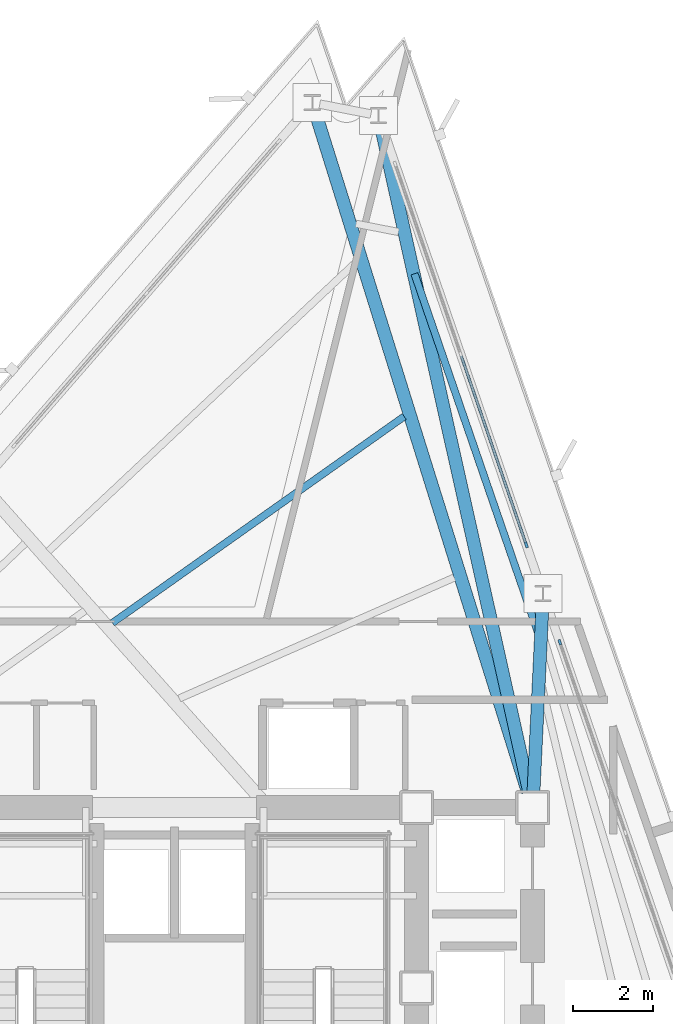
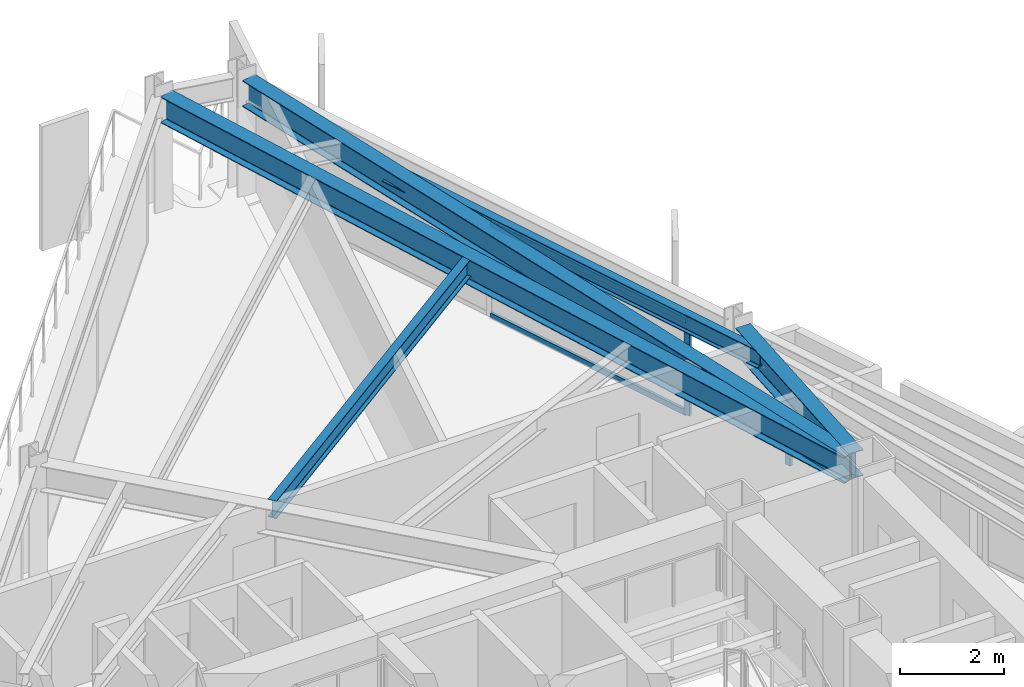
# One storey, part 5 of 13: 5 beams, 4 members, 2 elements without a shape of their own.
"""IFC4 building model written with IfcOpenShell, lengths in metres."""

from ifc_helpers import new_model, si_unit, direction, frame, origin, origin_2d, place, context, subcontext, project, spatial, rectangle, i_section, extrude, material, layer, layer_set, material_profile, profile_set, type_object, element, aggregate, save


model = new_model("IFC4")

# Units and contexts
model_context = context("Model", 3, precision=1e-05, world=origin(), true_north=direction((0.0, 1.0)))
body_context = subcontext(model_context, "Body", "Model", "MODEL_VIEW")
ifc_project = project(units=[si_unit("LENGTHUNIT", "METRE"), si_unit("AREAUNIT", "SQUARE_METRE"), si_unit("VOLUMEUNIT", "CUBIC_METRE"), si_unit("PLANEANGLEUNIT", "RADIAN"), si_unit("MASSUNIT", "GRAM", prefix="KILO")], contexts=[model_context])

# Site, building, storey
site_placement = place(None, origin())
site = spatial("IfcSite", under=ifc_project, at=site_placement, CompositionType="ELEMENT")
building_placement = place(site_placement, origin())
building = spatial("IfcBuilding", under=site, at=building_placement, Name="Rocaltana Carrier Exchange", CompositionType="ELEMENT")
storey_placement = place(building_placement, frame((0.0, 0.0, 147.199951171875)))
storey = spatial("IfcBuildingStorey", under=building, at=storey_placement, Name="L46", CompositionType="ELEMENT", Elevation=147.199951171875)

# Curtain wall, member
ifc_material_1 = material(Name="Aluminium 6063-T6", Category="aluminium")
ifc_layer = layer(ifc_material_1, 0.135009765625)
ifc_layer_set = layer_set([ifc_layer], Name="Aluminium 6063-T6")
curtain_wall_type = type_object("IfcCurtainWallType", Name="Upper-Mid Acoustic Curtain Wall CW-04", PredefinedType="NOTDEFINED", material=ifc_layer_set)
curtain_wall_1_placement = place(storey_placement, origin())
curtain_wall_1 = element("IfcCurtainWall", 1, at=curtain_wall_1_placement, inside=storey, type_object=curtain_wall_type, Name="L46 CW-04 Run CW-L46-F1S2", PredefinedType="NOTDEFINED")
ifc_material_2 = material(Name="Aluminium 6063-T6", Category="aluminium")
ifc_material_profile_1 = material_profile(ifc_material_2, rectangle(XDim=0.06494140625, YDim=0.135009765625, at=origin_2d()), Name="AL-65X135")
ifc_profile_set_1 = profile_set([ifc_material_profile_1], Name="Aluminium 6063-T6")
member_type_1 = type_object("IfcMemberType", Name="CW-04 Mullion AL-65X135", PredefinedType="MULLION", material=ifc_profile_set_1)
member_1_placement = place(storey_placement, frame((9.62548828125, 8.638671875, 0.0), z_axis=(0.0, 0.0, 1.0), x_axis=(-0.945520754562, -0.32556182622, 0.0)))
member_1 = element("IfcMember", 2, at=member_1_placement, type_object=member_type_1, Name="CW-04 mullion 3", PredefinedType="MULLION", context=body_context, shape_type="SweptSolid", body=[
    extrude(rectangle(XDim=0.06494140625, YDim=0.135009765625, at=origin_2d()), origin(), (0.0, 0.0, 1.0), 2.218017578125),
])
aggregate(curtain_wall_1, [member_1])

# Curtain wall, members
curtain_wall_2_placement = place(storey_placement, origin())
curtain_wall_2 = element("IfcCurtainWall", 3, at=curtain_wall_2_placement, inside=storey, type_object=curtain_wall_type, Name="L46 CW-04 Run CW-L46-F1S3", PredefinedType="NOTDEFINED")
member_2_placement = place(storey_placement, frame((8.79052734375, 11.063720703125, 0.0), z_axis=(0.0, 0.0, 1.0), x_axis=(-0.945521800517, -0.325558788464, 0.0)))
member_2 = element("IfcMember", 4, at=member_2_placement, type_object=member_type_1, Name="CW-04 mullion 1", PredefinedType="MULLION", context=body_context, shape_type="SweptSolid", body=[
    extrude(rectangle(XDim=0.06494140625, YDim=0.135009765625, at=origin_2d()), origin(), (0.0, 0.0, 1.0), 2.218017578125),
])
ifc_material_3 = material(Name="Aluminium 6063-T6", Category="aluminium")
ifc_material_profile_2 = material_profile(ifc_material_3, rectangle(XDim=0.06494140625, YDim=0.135009765625, at=origin_2d()), Name="AL-65X135")
ifc_profile_set_2 = profile_set([ifc_material_profile_2], Name="Aluminium 6063-T6")
member_type_2 = type_object("IfcMemberType", Name="CW-04 Transom AL-65X135", PredefinedType="USERDEFINED", material=ifc_profile_set_2)
member_3_placement = place(storey_placement, frame((8.77978515625, 11.094482421875, 0.032470703125), z_axis=(-0.325542462737, 0.945527421578, 0.0), x_axis=(-0.945527421578, -0.325542462737, 0.0)))
member_3 = element("IfcMember", 5, at=member_3_placement, type_object=member_type_2, Name="CW-04 transom 1.1", ObjectType="TRANSOM", PredefinedType="USERDEFINED", context=body_context, shape_type="SweptSolid", body=[
    extrude(rectangle(XDim=0.06494140625, YDim=0.135009765625, at=origin_2d()), origin(), (0.0, 0.0, 1.0), 4.96923828125),
])
member_4_placement = place(storey_placement, frame((8.77978515625, 11.094482421875, 2.185546875), z_axis=(-0.325542462737, 0.945527421578, 0.0), x_axis=(-0.945527421578, -0.325542462737, 0.0)))
member_4 = element("IfcMember", 6, at=member_4_placement, type_object=member_type_2, Name="CW-04 transom 1.2", ObjectType="TRANSOM", PredefinedType="USERDEFINED", context=body_context, shape_type="SweptSolid", body=[
    extrude(rectangle(XDim=0.06494140625, YDim=0.135009765625, at=origin_2d()), origin(), (0.0, 0.0, 1.0), 4.96923828125),
])
aggregate(curtain_wall_2, [member_2, member_3, member_4])

# Beams
ifc_material_4 = material(Name="Steel S355", Category="steel")
ifc_material_profile_3 = material_profile(ifc_material_4, i_section(OverallWidth=0.179931640625, OverallDepth=0.4130859375, WebThickness=0.009765625, FlangeThickness=0.01611328125, FilletRadius=0.012939453125, at=origin_2d()), Name="W16X50")
ifc_profile_set_3 = profile_set([ifc_material_profile_3], Name="Steel S355")
beam_type_1 = type_object("IfcBeamType", Name="Floor Joist W16X50", PredefinedType="JOIST", material=ifc_profile_set_3)
beam_1_placement = place(storey_placement, frame((9.1005859375, 8.8212890625, 2.58154296875), z_axis=(-0.325576687482, 0.9455156374, 0.0), x_axis=(-0.9455156374, -0.325576687482, 0.0)))
element("IfcBeam", 7, at=beam_1_placement, inside=storey, type_object=beam_type_1, Name="FJ-L46-03-3", PredefinedType="JOIST", context=body_context, shape_type="SweptSolid", body=[
    extrude(i_section(OverallWidth=0.179931640625, OverallDepth=0.4130859375, WebThickness=0.009765625, FlangeThickness=0.01611328125, FilletRadius=0.012939453125, at=origin_2d()), origin(), (0.0, 0.0, 1.0), 9.5419921875),
])
beam_2_placement = place(storey_placement, frame((5.737548828125, 14.27587890625, 2.58154296875), z_axis=(-0.816285489074, -0.577648682443, 0.0), x_axis=(0.577648682443, -0.816285489074, 0.0)))
element("IfcBeam", 8, at=beam_2_placement, inside=storey, type_object=beam_type_1, Name="FJ-L46-05-2", PredefinedType="JOIST", context=body_context, shape_type="SweptSolid", body=[
    extrude(i_section(OverallWidth=0.179931640625, OverallDepth=0.4130859375, WebThickness=0.009765625, FlangeThickness=0.01611328125, FilletRadius=0.012939453125, at=origin_2d()), origin(), (0.0, 0.0, 1.0), 8.931396484375),
])
ifc_material_5 = material(Name="Steel S355", Category="steel")
ifc_material_profile_4 = material_profile(ifc_material_5, i_section(OverallWidth=0.323974609375, OverallDepth=0.611083984375, WebThickness=0.0126953125, FlangeThickness=0.01904296875, FilletRadius=0.01611328125, at=origin_2d()), Name="W24X104")
ifc_profile_set_4 = profile_set([ifc_material_profile_4], Name="Steel S355")
beam_type_2 = type_object("IfcBeamType", Name="Radial Girder W24X104", PredefinedType="BEAM", material=ifc_profile_set_4)
beam_3_placement = place(storey_placement, frame((8.97021484375, 4.91650390625, 2.482666015625), z_axis=(0.04811960059, 0.998841581052, 0.0), x_axis=(-0.998841581052, 0.04811960059, 0.0)))
element("IfcBeam", 9, at=beam_3_placement, inside=storey, type_object=beam_type_2, Name="RG-L46-03", PredefinedType="BEAM", context=body_context, shape_type="SweptSolid", body=[
    extrude(i_section(OverallWidth=0.323974609375, OverallDepth=0.611083984375, WebThickness=0.0126953125, FlangeThickness=0.01904296875, FilletRadius=0.01611328125, at=origin_2d()), origin(), (0.0, 0.0, 1.0), 4.7490234375),
])
beam_4_placement = place(storey_placement, frame((8.859375, 4.906982421875, 2.482666015625), z_axis=(-0.217543729605, 0.976050575385, 0.0), x_axis=(-0.976050575385, -0.217543729605, 0.0)))
element("IfcBeam", 10, at=beam_4_placement, inside=storey, type_object=beam_type_2, Name="RG-L46-04", PredefinedType="BEAM", context=body_context, shape_type="SweptSolid", body=[
    extrude(i_section(OverallWidth=0.323974609375, OverallDepth=0.611083984375, WebThickness=0.0126953125, FlangeThickness=0.01904296875, FilletRadius=0.01611328125, at=origin_2d()), origin(), (0.0, 0.0, 1.0), 17.1123046875),
])
beam_5_placement = place(storey_placement, frame((8.825439453125, 4.89794921875, 2.482666015625), z_axis=(-0.298430740748, 0.954431292958, 0.0), x_axis=(-0.954431292958, -0.298430740748, 0.0)))
element("IfcBeam", 11, at=beam_5_placement, inside=storey, type_object=beam_type_2, Name="RG-L46-05", PredefinedType="BEAM", context=body_context, shape_type="SweptSolid", body=[
    extrude(i_section(OverallWidth=0.323974609375, OverallDepth=0.611083984375, WebThickness=0.0126953125, FlangeThickness=0.01904296875, FilletRadius=0.01611328125, at=origin_2d()), origin(), (0.0, 0.0, 1.0), 17.8505859375),
])

save(model, "model.ifc")
